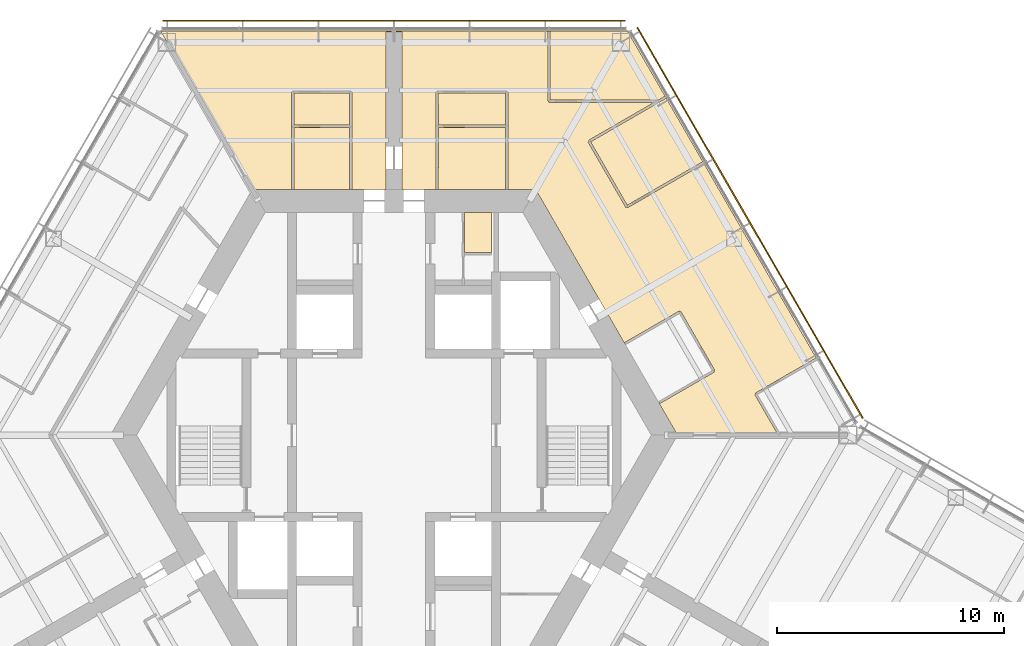
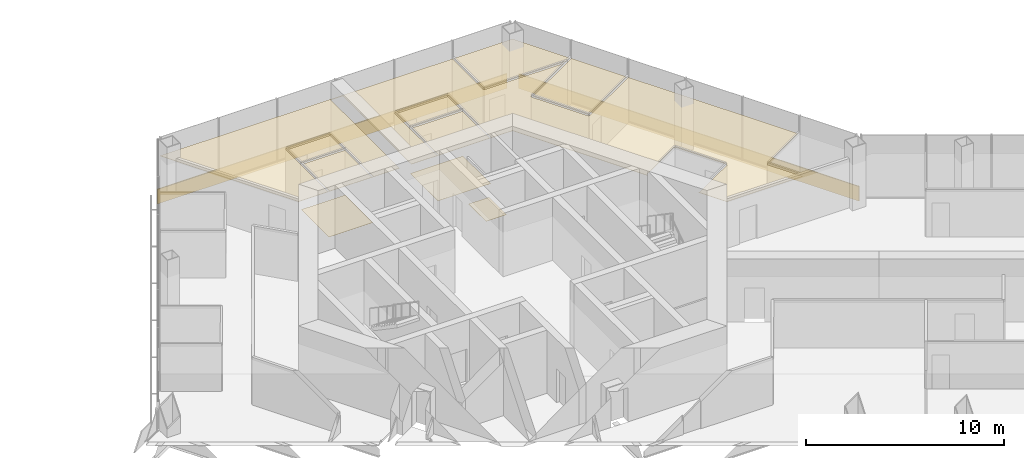
# One storey, part 18 of 18: 11 coverings, 2 shading devices.
"""IFC4 building model written with IfcOpenShell, lengths in metres."""

from ifc_helpers import new_model, si_unit, direction, frame, origin, origin_2d, place, context, subcontext, project, spatial, polyline, rectangle, outline, extrude, material, layer, layer_set, type_object, element, save


model = new_model("IFC4")

# Units and contexts
model_context = context("Model", 3, precision=1e-05, world=origin(), true_north=direction((0.0, 1.0)))
body_context = subcontext(model_context, "Body", "Model", "MODEL_VIEW")
ifc_project = project(units=[si_unit("LENGTHUNIT", "METRE"), si_unit("AREAUNIT", "SQUARE_METRE"), si_unit("VOLUMEUNIT", "CUBIC_METRE"), si_unit("PLANEANGLEUNIT", "RADIAN"), si_unit("MASSUNIT", "GRAM", prefix="KILO")], contexts=[model_context])

# Site, building, storey
site_placement = place(None, origin())
site = spatial("IfcSite", under=ifc_project, at=site_placement, CompositionType="ELEMENT")
building_placement = place(site_placement, origin())
building = spatial("IfcBuilding", under=site, at=building_placement, Name="Kasaneha Research Tower", CompositionType="ELEMENT")
storey_placement = place(building_placement, frame((0.0, 0.0, 148.699951171875)))
storey = spatial("IfcBuildingStorey", under=building, at=storey_placement, Name="L37", CompositionType="ELEMENT", Elevation=148.699951171875)

# Coverings
ifc_material_1 = material(Name="Gypsum ceiling board", Category="gypsum")
ifc_layer_1 = layer(ifc_material_1, 0.02001953125)
ifc_layer_set_1 = layer_set([ifc_layer_1], Name="Suspended ceiling 20")
covering_type_1 = type_object("IfcCoveringType", Name="Suspended ceiling 20", PredefinedType="CEILING", material=ifc_layer_set_1)
covering_1_placement = place(storey_placement, frame((0.0, 0.0, 2.800048828125)))
element("IfcCovering", 1, at=covering_1_placement, inside=storey, type_object=covering_type_1, Name="Ceiling L37-25", PredefinedType="CEILING", context=body_context, shape_type="SweptSolid", body=[
    extrude(outline(polyline([(1.89990234375, 10.824951171875), (1.89990234375, 10.844970703125), (1.949951171875, 10.844970703125), (1.95458984375, 13.570068359375), (4.91650390625, 13.570068359375), (4.9208984375, 10.844970703125), (4.970947265625, 10.844970703125), (4.970947265625, 10.824951171875), (1.89990234375, 10.824951171875)])), origin(), (0.0, 0.0, 1.0), 0.02001953125),
])
covering_2_placement = place(storey_placement, frame((0.0, 0.0, 2.800048828125)))
element("IfcCovering", 2, at=covering_2_placement, inside=storey, type_object=covering_type_1, Name="Ceiling L37-26", PredefinedType="CEILING", context=body_context, shape_type="SweptSolid", body=[
    extrude(outline(polyline([(4.91650390625, 13.669921875), (1.954345703125, 13.669921875), (1.9501953125, 15.074951171875), (4.9208984375, 15.074951171875), (4.91650390625, 13.669921875)])), origin(), (0.0, 0.0, 1.0), 0.02001953125),
])
covering_3_placement = place(storey_placement, frame((0.0, 0.0, 2.800048828125)))
element("IfcCovering", 3, at=covering_3_placement, inside=storey, type_object=covering_type_1, Name="Ceiling L37-28", PredefinedType="CEILING", context=body_context, shape_type="SweptSolid", body=[
    extrude(outline(polyline([(13.640869140625, 12.0146484375), (13.623291015625, 12.004638671875), (13.598388671875, 12.0478515625), (10.281494140625, 10.1328125), (8.666015625, 12.930908203125), (11.685546875, 14.67431640625), (12.000244140625, 14.85595703125), (13.640869140625, 12.0146484375)])), origin(), (0.0, 0.0, 1.0), 0.02001953125),
])
covering_4_placement = place(storey_placement, frame((0.0, 0.0, 2.800048828125)))
element("IfcCovering", 4, at=covering_4_placement, inside=storey, type_object=covering_type_1, Name="Ceiling L37-30", PredefinedType="CEILING", context=body_context, shape_type="SweptSolid", body=[
    extrude(outline(polyline([(11.950439453125, 14.942626953125), (11.654296875, 14.771484375), (6.880859375, 14.7705078125), (6.880859375, 17.800537109375), (6.8310546875, 17.800537109375), (6.8310546875, 17.820556640625), (10.2890625, 17.821044921875), (11.950439453125, 14.942626953125)])), origin(), (0.0, 0.0, 1.0), 0.02001953125),
])
covering_5_placement = place(storey_placement, frame((0.0, 0.0, 2.800048828125)))
element("IfcCovering", 5, at=covering_5_placement, inside=storey, type_object=covering_type_1, Name="Ceiling L37-31", PredefinedType="CEILING", context=body_context, shape_type="SweptSolid", body=[
    extrude(outline(polyline([(14.10009765625, 2.8291015625), (14.142822265625, 2.853759765625), (12.642822265625, 5.451904296875), (12.599853515625, 5.427001953125), (12.599609375, 5.42724609375), (12.599365234375, 5.42724609375), (12.57470703125, 5.47021484375), (10.1669921875, 4.080078125), (10.19189453125, 4.037353515625), (10.174560546875, 4.02734375), (6.249755859375, 10.824951171875), (4.971435546875, 10.824951171875), (4.971435546875, 10.844970703125), (5.02099609375, 10.844970703125), (5.016357421875, 13.625), (5.02099609375, 15.124755859375), (4.971435546875, 15.125), (4.971435546875, 15.12548828125), (4.970947265625, 15.12548828125), (4.970947265625, 15.175048828125), (1.89990234375, 15.175048828125), (1.89990234375, 15.125244140625), (1.899658203125, 15.125244140625), (1.899658203125, 15.125), (1.85009765625, 15.124755859375), (1.8544921875, 13.625), (1.85009765625, 10.844970703125), (1.8994140625, 10.844970703125), (1.8994140625, 10.824951171875), (0.35009765625, 10.824951171875), (0.35009765625, 11.72509765625), (0.35009765625, 12.72509765625), (0.35009765625, 17.7705078125), (0.35009765625, 17.7705078125), (0.0, 17.7705078125), (0.0, 17.820556640625), (6.830322265625, 17.820556640625), (6.830322265625, 17.800537109375), (6.781005859375, 17.800537109375), (6.781005859375, 14.720458984375), (6.83056640625, 14.720458984375), (6.83056640625, 14.719970703125), (6.830810546875, 14.719970703125), (6.830810546875, 14.67041015625), (11.48095703125, 14.671630859375), (8.57275390625, 12.992431640625), (8.59765625, 12.949462890625), (8.597412109375, 12.949462890625), (8.597412109375, 12.948974609375), (8.554443359375, 12.92431640625), (10.219970703125, 10.03955078125), (10.262939453125, 10.064453125), (10.26318359375, 10.06396484375), (10.263427734375, 10.064208984375), (10.2880859375, 10.021240234375), (13.6484375, 11.961181640625), (13.62353515625, 12.004150390625), (13.64111328125, 12.01416015625), (18.636962890625, 3.36083984375), (18.61962890625, 3.350830078125), (18.5947265625, 3.393798828125), (15.927490234375, 1.853759765625), (15.952392578125, 1.810791015625), (15.9521484375, 1.810791015625), (15.9521484375, 1.810302734375), (15.9091796875, 1.785400390625), (16.93994140625, 0.0), (12.49951171875, 0.0), (11.675048828125, 1.428466796875), (11.6923828125, 1.438232421875), (11.717041015625, 1.3955078125), (14.12451171875, 2.785400390625), (14.099609375, 2.828857421875), (14.10009765625, 2.8291015625), (14.10009765625, 2.8291015625)])), origin(), (0.0, 0.0, 1.0), 0.02001953125),
])
covering_6_placement = place(storey_placement, frame((0.0, 0.0, 2.800048828125)))
element("IfcCovering", 6, at=covering_6_placement, inside=storey, type_object=covering_type_1, Name="Ceiling L37-32", PredefinedType="CEILING", context=body_context, shape_type="SweptSolid", body=[
    extrude(outline(polyline([(-4.465087890625, 10.824951171875), (-4.465087890625, 10.844970703125), (-4.4150390625, 10.844970703125), (-4.410400390625, 13.570068359375), (-1.95458984375, 13.570068359375), (-1.949951171875, 10.844970703125), (-1.89990234375, 10.844970703125), (-1.89990234375, 10.824951171875), (-4.465087890625, 10.824951171875)])), origin(), (0.0, 0.0, 1.0), 0.02001953125),
])
covering_7_placement = place(storey_placement, frame((0.0, 0.0, 2.800048828125)))
element("IfcCovering", 7, at=covering_7_placement, inside=storey, type_object=covering_type_1, Name="Ceiling L37-33", PredefinedType="CEILING", context=body_context, shape_type="SweptSolid", body=[
    extrude(outline(polyline([(-1.9501953125, 15.074951171875), (-1.95458984375, 13.669921875), (-4.41064453125, 13.669921875), (-4.414794921875, 15.074951171875), (-1.9501953125, 15.074951171875)])), origin(), (0.0, 0.0, 1.0), 0.02001953125),
])
covering_8_placement = place(storey_placement, frame((0.0, 0.0, 2.800048828125)))
element("IfcCovering", 8, at=covering_8_placement, inside=storey, type_object=covering_type_1, Name="Ceiling L37-34", PredefinedType="CEILING", context=body_context, shape_type="SweptSolid", body=[
    extrude(outline(polyline([(-0.35009765625, 11.72509765625), (-0.35009765625, 10.824951171875), (-1.8994140625, 10.824951171875), (-1.8994140625, 10.844970703125), (-1.85009765625, 10.844970703125), (-1.854736328125, 13.625), (-1.85009765625, 15.124755859375), (-1.89990234375, 15.125), (-1.89990234375, 15.12548828125), (-1.89990234375, 15.175048828125), (-4.465087890625, 15.175048828125), (-4.465087890625, 15.125244140625), (-4.46533203125, 15.125244140625), (-4.46533203125, 15.125), (-4.514892578125, 15.124755859375), (-4.510498046875, 13.625), (-4.514892578125, 10.844970703125), (-4.465576171875, 10.844970703125), (-4.465576171875, 10.824951171875), (-6.249755859375, 10.824951171875), (-10.28857421875, 17.820556640625), (0.0, 17.820556640625), (0.0, 17.7705078125), (-0.35009765625, 17.7705078125), (-0.35009765625, 17.7705078125), (-0.35009765625, 12.72509765625), (-0.35009765625, 11.72509765625)])), origin(), (0.0, 0.0, 1.0), 0.02001953125),
])

# Shading devices
ifc_material_2 = material(Name="Terracotta", Category="masonry")
ifc_layer_2 = layer(ifc_material_2, 0.06005859375)
ifc_layer_set_2 = layer_set([ifc_layer_2], Name="Terracotta baguette screen")
shading_device_type = type_object("IfcShadingDeviceType", Name="Terracotta baguette screen", PredefinedType="USERDEFINED", material=ifc_layer_set_2)
shading_device_1_placement = place(storey_placement, frame((15.696044921875, 9.35498046875, -0.449951171875), z_axis=(0.0, 0.0, 1.0), x_axis=(-0.499999979232, 0.866025415775, 0.0)))
element("IfcShadingDevice", 9, at=shading_device_1_placement, inside=storey, type_object=shading_device_type, Name="Baguette screen L37 06", ObjectType="TERRACOTTA BAGUETTE SCREEN", PredefinedType="USERDEFINED", context=body_context, shape_type="SweptSolid", body=[
    extrude(rectangle(XDim=19.8857421875, YDim=0.06005859375, at=origin_2d()), origin(), (0.0, 0.0, 1.0), 0.89990234375),
])
shading_device_2_placement = place(storey_placement, frame((0.0, 18.2705078125, -0.449951171875), z_axis=(0.0, 0.0, 1.0), x_axis=(-1.0, 0.0, 0.0)))
element("IfcShadingDevice", 10, at=shading_device_2_placement, inside=storey, type_object=shading_device_type, Name="Baguette screen L37 07", ObjectType="TERRACOTTA BAGUETTE SCREEN", PredefinedType="USERDEFINED", context=body_context, shape_type="SweptSolid", body=[
    extrude(rectangle(XDim=20.392822265625, YDim=0.06005859375, at=origin_2d()), origin(), (0.0, 0.0, 1.0), 0.89990234375),
])

# Coverings
ifc_material_3 = material(Name="Vinyl sheet flooring", Category="plastic")
ifc_layer_3 = layer(ifc_material_3, 0.0048828125)
ifc_layer_set_3 = layer_set([ifc_layer_3], Name="Wet room sheet flooring 5")
covering_type_2 = type_object("IfcCoveringType", Name="Wet room sheet flooring 5", PredefinedType="FLOORING", material=ifc_layer_set_3)
covering_9_placement = place(storey_placement, origin())
element("IfcCovering", 11, at=covering_9_placement, inside=storey, type_object=covering_type_2, Name="Floor finish L37-08", PredefinedType="FLOORING", context=body_context, shape_type="SweptSolid", body=[
    extrude(outline(polyline([(4.300048828125, 8.050048828125), (3.10009765625, 8.050048828125), (3.10009765625, 9.824951171875), (4.300048828125, 9.824951171875), (4.300048828125, 8.050048828125)])), origin(), (0.0, 0.0, 1.0), 0.005126953125),
])
covering_10_placement = place(storey_placement, origin())
element("IfcCovering", 12, at=covering_10_placement, inside=storey, type_object=covering_type_2, Name="Floor finish L37-25", PredefinedType="FLOORING", context=body_context, shape_type="SweptSolid", body=[
    extrude(outline(polyline([(4.970947265625, 13.625), (4.970947265625, 10.824951171875), (1.89990234375, 10.824951171875), (1.89990234375, 13.625), (4.970947265625, 13.625)])), origin(), (0.0, 0.0, 1.0), 0.005126953125),
])
covering_11_placement = place(storey_placement, origin())
element("IfcCovering", 13, at=covering_11_placement, inside=storey, type_object=covering_type_2, Name="Floor finish L37-32", PredefinedType="FLOORING", context=body_context, shape_type="SweptSolid", body=[
    extrude(outline(polyline([(-1.89990234375, 13.625), (-1.89990234375, 10.824951171875), (-4.465087890625, 10.824951171875), (-4.465087890625, 13.625), (-1.89990234375, 13.625)])), origin(), (0.0, 0.0, 1.0), 0.005126953125),
])

save(model, "model.ifc")
